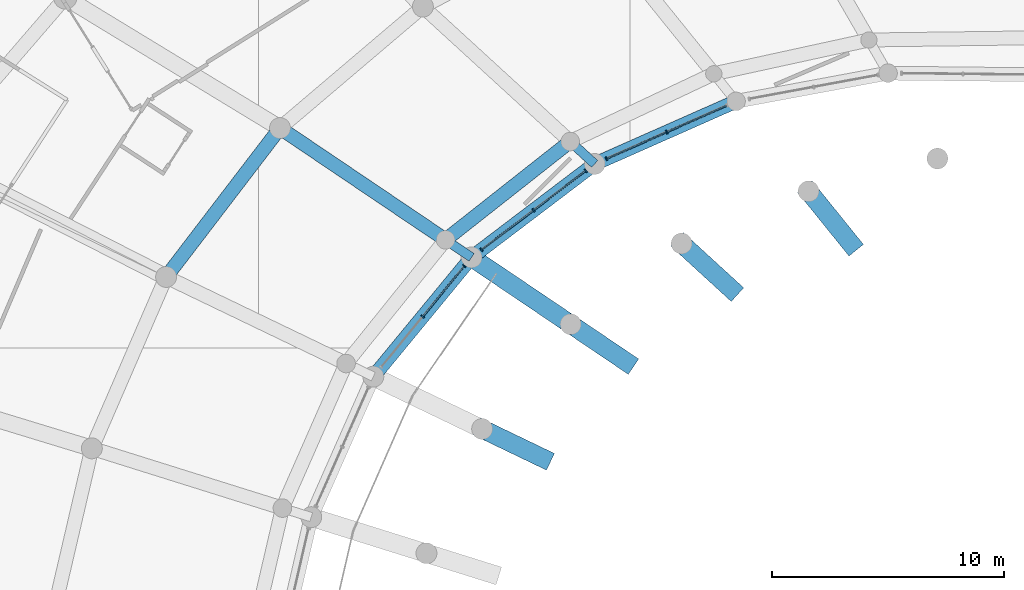
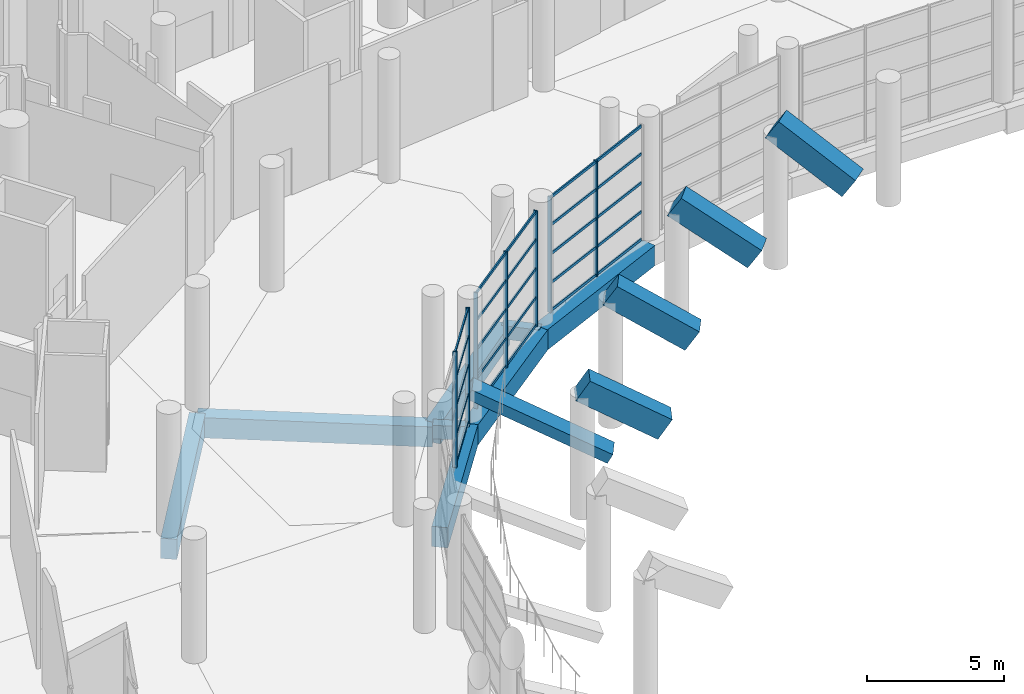
# One storey, part 76 of 271: 32 members, 13 beams, 3 elements without a shape of their own.
"""IFC4 building model written with IfcOpenShell, lengths in metres."""

import ifcopenshell
import ifcopenshell.guid

model = None  # the IFC model being written
_history = None  # IfcOwnerHistory: only IFC2X3 demands one
_inside = {}  # id of a spatial element -> (the spatial element, [elements in it])
_under = {}  # id of a project, library or spatial element -> (it, [spatial elements below it])
_declared = {}  # id of a project -> (the project, [libraries it declares])
_typed = {}  # id of a type object -> (the type object, [elements of that type])
_made_of = {}  # id of a material, layer set ... -> (it, [elements and type objects made of it])


def new_model(schema):
    """Start an empty IFC model of exactly this schema.

    Asked for "IFC4X3", IfcOpenShell would pick the latest addendum, in which some entities
    have other attributes; the version numbers below select the first issue.
    IFC2X3 requires an IfcOwnerHistory on every rooted entity: one is made here for all.
    """
    global model, _history
    if schema == "IFC4X3":
        model = ifcopenshell.file(schema_version=(4, 3, 0, 0))
    else:
        model = ifcopenshell.file(schema=schema)
    _inside.clear()
    _under.clear()
    _declared.clear()
    _typed.clear()
    _made_of.clear()
    _history = None
    if model.schema == "IFC2X3":
        org = make("IfcOrganization", Name="unknown")
        user = make(
            "IfcPersonAndOrganization",
            ThePerson=make("IfcPerson", FamilyName="unknown"),
            TheOrganization=org,
        )
        app = make(
            "IfcApplication",
            ApplicationDeveloper=org,
            Version="unknown",
            ApplicationFullName="unknown",
            ApplicationIdentifier="unknown",
        )
        _history = make(
            "IfcOwnerHistory",
            OwningUser=user,
            OwningApplication=app,
            ChangeAction="ADDED",
            CreationDate=0,
        )
    return model


def make(cls, **values):
    """One entity of the class cls with the attributes given. An attribute that is None is left unset."""
    return model.create_entity(
        cls, **{name: value for name, value in values.items() if value is not None}
    )


def rooted(cls, **values):
    """An entity with a GlobalId (a new one), such as an element, a storey or a relation."""
    return make(cls, GlobalId=ifcopenshell.guid.new(), OwnerHistory=_history, **values)


def si_unit(unit_type, name, prefix=None):
    """IfcSIUnit, for example si_unit("LENGTHUNIT", "METRE", prefix="MILLI")."""
    return make("IfcSIUnit", UnitType=unit_type, Prefix=prefix, Name=name)


def assignment(units):
    """IfcUnitAssignment: the units of a project."""
    return None if units is None else make("IfcUnitAssignment", Units=units)


def point(xyz):
    """IfcCartesianPoint."""
    return None if xyz is None else make("IfcCartesianPoint", Coordinates=xyz)


def direction(xyz):
    """IfcDirection."""
    return None if xyz is None else make("IfcDirection", DirectionRatios=xyz)


def frame(location, z_axis=None, x_axis=None):
    """IfcAxis2Placement3D, a coordinate frame: its origin and axes. An axis left out is left unset."""
    return make(
        "IfcAxis2Placement3D",
        Location=point(location),
        Axis=direction(z_axis),
        RefDirection=direction(x_axis),
    )


def frame_2d(location, x_axis=None):
    """IfcAxis2Placement2D, a coordinate frame in the plane: its origin and x axis."""
    return make(
        "IfcAxis2Placement2D", Location=point(location), RefDirection=direction(x_axis)
    )


def origin():
    """The frame at (0, 0, 0) with its axes left unset."""
    return frame((0.0, 0.0, 0.0))


def origin_2d():
    """The frame at (0, 0) in the plane with its x axis left unset."""
    return frame_2d((0.0, 0.0))


def place(relative_to, where):
    """IfcLocalPlacement: puts the frame where relative to a parent placement (None: the world)."""
    return make(
        "IfcLocalPlacement", PlacementRelTo=relative_to, RelativePlacement=where
    )


def context(
    kind, dimensions, precision=None, world=None, true_north=None, identifier=None
):
    """IfcGeometricRepresentationContext, for example the 3D "Model" context."""
    return make(
        "IfcGeometricRepresentationContext",
        ContextIdentifier=identifier,
        ContextType=kind,
        CoordinateSpaceDimension=dimensions,
        Precision=precision,
        WorldCoordinateSystem=world,
        TrueNorth=true_north,
    )


def subcontext(parent, identifier, kind, view, scale=None):
    """IfcGeometricRepresentationSubContext, for example "Body" below "Model"."""
    return make(
        "IfcGeometricRepresentationSubContext",
        ContextIdentifier=identifier,
        ContextType=kind,
        ParentContext=parent,
        TargetScale=scale,
        TargetView=view,
    )


def project(units=None, contexts=None):
    """IfcProject with its units and contexts."""
    return rooted(
        "IfcProject",
        Name="project",
        RepresentationContexts=contexts,
        UnitsInContext=assignment(units),
    )


def spatial(cls, under=None, at=None, **own):
    """A site, building, storey or space (cls), placed at a placement, below another one or the project."""
    s = rooted(cls, ObjectPlacement=at, **own)
    if under is not None:
        _under.setdefault(under.id(), (under, []))[1].append(s)
    return s


def profile(cls, at=None, kind="AREA", **sizes):
    """A parametric profile (cls). Its sizes go by their IFC names, for example OverallWidth=200.0."""
    return make(cls, ProfileType=kind, Position=at, **sizes)


def rectangle(**sizes):
    """IfcRectangleProfileDef."""
    return profile("IfcRectangleProfileDef", **sizes)


def extrude(swept, where, along, depth):
    """IfcExtrudedAreaSolid: the profile swept, set in the frame where, extruded along a direction by depth."""
    return make(
        "IfcExtrudedAreaSolid",
        SweptArea=swept,
        Position=where,
        ExtrudedDirection=direction(along),
        Depth=depth,
    )


def shape(context_of_items, identifier, shape_type, items):
    """IfcShapeRepresentation: the items that make up one representation, for example the "Body"."""
    return make(
        "IfcShapeRepresentation",
        ContextOfItems=context_of_items,
        RepresentationIdentifier=identifier,
        RepresentationType=shape_type,
        Items=items,
    )


def material(Name=None, Category=None):
    """IfcMaterial."""
    return make("IfcMaterial", Name=Name, Category=Category)


def layer(
    of_material, thickness, ventilated=None, Name=None, Category=None, Priority=None
):
    """IfcMaterialLayer: one layer of a wall or slab, of a material (None: an air gap)."""
    return make(
        "IfcMaterialLayer",
        Material=of_material,
        LayerThickness=thickness,
        IsVentilated=ventilated,
        Name=Name,
        Category=Category,
        Priority=Priority,
    )


def layer_set(layers, Name=None):
    """IfcMaterialLayerSet."""
    return make("IfcMaterialLayerSet", MaterialLayers=layers, LayerSetName=Name)


def material_profile(
    of_material, cross_section, Name=None, Category=None, Priority=None
):
    """IfcMaterialProfile: a cross section and its material."""
    return make(
        "IfcMaterialProfile",
        Name=Name,
        Material=of_material,
        Profile=cross_section,
        Priority=Priority,
        Category=Category,
    )


def profile_set(profiles, Name=None, composite=None):
    """IfcMaterialProfileSet."""
    return make(
        "IfcMaterialProfileSet",
        Name=Name,
        MaterialProfiles=profiles,
        CompositeProfile=composite,
    )


def made_of(thing, what):
    """Note that an element or type object is made of a material, layer set ...; save() writes the relation."""
    if what is not None:
        _made_of.setdefault(what.id(), (what, []))[1].append(thing)
    return thing


def type_object(cls, material=None, **own):
    """A type object (cls), such as IfcWallType, which elements share."""
    return made_of(rooted(cls, **own), material)


def element(
    cls,
    number,
    at=None,
    inside=None,
    cuts=None,
    type_object=None,
    material=None,
    context=None,
    identifier="Body",
    shape_type=None,
    held_by="IfcProductDefinitionShape",
    body=None,
    shapes=None,
    **own,
):
    """One element of the class cls, such as IfcWall. Its Tag is "e" and its number.

    at: its placement. inside: the storey or other place that contains it. cuts: it is an
    opening in that element (IfcRelVoidsElement). A single representation is given by context,
    identifier, shape_type and body (its items); several are given by shapes. held_by: the class
    of the entity that holds the representations. save() writes the other relations.
    """
    e = rooted(cls, Tag="e%d" % number, ObjectPlacement=at, **own)
    if body is not None:
        shapes = [shape(context, identifier, shape_type, body)]
    if shapes is not None:
        e.Representation = make(held_by, Representations=shapes)
    if inside is not None:
        _inside.setdefault(inside.id(), (inside, []))[1].append(e)
    if cuts is not None:
        rooted(
            "IfcRelVoidsElement", RelatingBuildingElement=cuts, RelatedOpeningElement=e
        )
    if type_object is not None:
        _typed.setdefault(type_object.id(), (type_object, []))[1].append(e)
    return made_of(e, material)


def aggregate(whole, parts):
    """IfcRelAggregates: a whole, such as a stair, and the parts it consists of."""
    return rooted("IfcRelAggregates", RelatingObject=whole, RelatedObjects=parts)


def save(model, path):
    """Write the relations noted so far, then the file.

    IfcRelAggregates (storeys below a building ...), IfcRelContainedInSpatialStructure (elements
    in a storey), IfcRelDefinesByType, IfcRelAssociatesMaterial and IfcRelDeclares: one each for
    every whole, place, type object, material and project.
    """
    for whole, parts in _under.values():
        aggregate(whole, parts)
    for where, things in _inside.values():
        rooted(
            "IfcRelContainedInSpatialStructure",
            RelatedElements=things,
            RelatingStructure=where,
        )
    for kind, things in _typed.values():
        rooted("IfcRelDefinesByType", RelatedObjects=things, RelatingType=kind)
    for what, things in _made_of.values():
        rooted("IfcRelAssociatesMaterial", RelatedObjects=things, RelatingMaterial=what)
    for by, libraries in _declared.values():
        rooted("IfcRelDeclares", RelatingContext=by, RelatedDefinitions=libraries)
    model.write(path)


model = new_model("IFC4")

# Units and contexts
model_context = context("Model", 3, precision=1e-05, world=origin(), true_north=direction((0.0, 1.0)))
body_context = subcontext(model_context, "Body", "Model", "MODEL_VIEW")
ifc_project = project(units=[si_unit("LENGTHUNIT", "METRE"), si_unit("AREAUNIT", "SQUARE_METRE"), si_unit("VOLUMEUNIT", "CUBIC_METRE"), si_unit("PLANEANGLEUNIT", "RADIAN"), si_unit("MASSUNIT", "GRAM", prefix="KILO")], contexts=[model_context])

# Site, building, storey
site_placement = place(None, origin())
site = spatial("IfcSite", under=ifc_project, at=site_placement, CompositionType="ELEMENT")
building_placement = place(site_placement, origin())
building = spatial("IfcBuilding", under=site, at=building_placement, Name="Meseta Stadium", CompositionType="ELEMENT")
storey_placement = place(building_placement, frame((0.0, 0.0, 6.5)))
storey = spatial("IfcBuildingStorey", under=building, at=storey_placement, Name="L01", CompositionType="ELEMENT", Elevation=6.5)

# Curtain wall, members
ifc_material_1 = material(Name="Aluminium", Category="aluminium")
ifc_layer = layer(ifc_material_1, 0.199951171875)
ifc_layer_set = layer_set([ifc_layer], Name="Club glazing curtain wall")
curtain_wall_type = type_object("IfcCurtainWallType", Name="Club glazing curtain wall", PredefinedType="NOTDEFINED", material=ifc_layer_set)
curtain_wall_1_placement = place(storey_placement, origin())
curtain_wall_1 = element("IfcCurtainWall", 1, at=curtain_wall_1_placement, inside=storey, type_object=curtain_wall_type, Name="Club glazing bay 23", PredefinedType="NOTDEFINED")
ifc_material_2 = material(Name="Aluminium", Category="aluminium")
ifc_material_profile_1 = material_profile(ifc_material_2, rectangle(XDim=0.159912109375, YDim=0.06005859375, at=origin_2d()), Name="CW 160x60")
ifc_profile_set_1 = profile_set([ifc_material_profile_1], Name="Aluminium")
member_type_1 = type_object("IfcMemberType", Name="CW mullion 60x160", PredefinedType="MULLION", material=ifc_profile_set_1)
member_1_placement = place(storey_placement, frame((-46.41796875, 73.2958984375, 0.0), z_axis=(0.0, 0.0, 1.0), x_axis=(0.40452428424, -0.914527256817, 0.0)))
member_1 = element("IfcMember", 2, at=member_1_placement, type_object=member_type_1, Name="CWC mullion 2", PredefinedType="MULLION", context=body_context, shape_type="SweptSolid", body=[
    extrude(rectangle(XDim=0.159912109375, YDim=0.06005859375, at=origin_2d()), origin(), (0.0, 0.0, 1.0), 5.14990234375),
])
member_2_placement = place(storey_placement, frame((-49.0126953125, 72.148193359375, 0.0), z_axis=(0.0, 0.0, 1.0), x_axis=(0.40452428424, -0.914527256817, 0.0)))
member_2 = element("IfcMember", 3, at=member_2_placement, type_object=member_type_1, Name="CWC mullion 3", PredefinedType="MULLION", context=body_context, shape_type="SweptSolid", body=[
    extrude(rectangle(XDim=0.159912109375, YDim=0.06005859375, at=origin_2d()), origin(), (0.0, 0.0, 1.0), 5.14990234375),
])

curtain_wall_2_placement = place(storey_placement, origin())
curtain_wall_2 = element("IfcCurtainWall", 4, at=curtain_wall_2_placement, inside=storey, type_object=curtain_wall_type, Name="Club glazing bay 24", PredefinedType="NOTDEFINED")
member_3_placement = place(storey_placement, frame((-49.900390625, 71.634765625, 0.0), z_axis=(0.0, 0.0, 1.0), x_axis=(0.604519923448, -0.796590021375, 0.0)))
member_3 = element("IfcMember", 5, at=member_3_placement, type_object=member_type_1, Name="CWC mullion 1", PredefinedType="MULLION", context=body_context, shape_type="SweptSolid", body=[
    extrude(rectangle(XDim=0.159912109375, YDim=0.06005859375, at=origin_2d()), origin(), (0.0, 0.0, 1.0), 5.14990234375),
])
member_4_placement = place(storey_placement, frame((-52.146484375, 69.93017578125, 0.0), z_axis=(0.0, 0.0, 1.0), x_axis=(0.604519923448, -0.796590021375, 0.0)))
member_4 = element("IfcMember", 6, at=member_4_placement, type_object=member_type_1, Name="CWC mullion 2", PredefinedType="MULLION", context=body_context, shape_type="SweptSolid", body=[
    extrude(rectangle(XDim=0.159912109375, YDim=0.06005859375, at=origin_2d()), origin(), (0.0, 0.0, 1.0), 5.14990234375),
])
member_5_placement = place(storey_placement, frame((-54.392578125, 68.2255859375, 0.0), z_axis=(0.0, 0.0, 1.0), x_axis=(0.604519923448, -0.796590021375, 0.0)))
member_5 = element("IfcMember", 7, at=member_5_placement, type_object=member_type_1, Name="CWC mullion 3", PredefinedType="MULLION", context=body_context, shape_type="SweptSolid", body=[
    extrude(rectangle(XDim=0.159912109375, YDim=0.06005859375, at=origin_2d()), origin(), (0.0, 0.0, 1.0), 5.14990234375),
])

curtain_wall_3_placement = place(storey_placement, origin())
curtain_wall_3 = element("IfcCurtainWall", 8, at=curtain_wall_3_placement, inside=storey, type_object=curtain_wall_type, Name="Club glazing bay 25", PredefinedType="NOTDEFINED")
member_6_placement = place(storey_placement, frame((-55.124755859375, 67.531005859375, 0.0), z_axis=(0.0, 0.0, 1.0), x_axis=(0.771902420685, -0.63574102663, 0.0)))
member_6 = element("IfcMember", 9, at=member_6_placement, type_object=member_type_1, Name="CWC mullion 1", PredefinedType="MULLION", context=body_context, shape_type="SweptSolid", body=[
    extrude(rectangle(XDim=0.159912109375, YDim=0.06005859375, at=origin_2d()), origin(), (0.0, 0.0, 1.0), 5.14990234375),
])
member_7_placement = place(storey_placement, frame((-56.920654296875, 65.3505859375, 0.0), z_axis=(0.0, 0.0, 1.0), x_axis=(0.771902420685, -0.63574102663, 0.0)))
member_7 = element("IfcMember", 10, at=member_7_placement, type_object=member_type_1, Name="CWC mullion 2", PredefinedType="MULLION", context=body_context, shape_type="SweptSolid", body=[
    extrude(rectangle(XDim=0.159912109375, YDim=0.06005859375, at=origin_2d()), origin(), (0.0, 0.0, 1.0), 5.14990234375),
])

# Member
ifc_material_3 = material(Name="Aluminium", Category="aluminium")
ifc_material_profile_2 = material_profile(ifc_material_3, rectangle(XDim=0.06005859375, YDim=0.1201171875, at=origin_2d()), Name="CW 60x120")
ifc_profile_set_2 = profile_set([ifc_material_profile_2], Name="Aluminium")
member_type_2 = type_object("IfcMemberType", Name="CW transom 60x120", PredefinedType="USERDEFINED", material=ifc_profile_set_2)
member_8_placement = place(storey_placement, frame((-43.850830078125, 74.431396484375, 0.06005859375), z_axis=(-0.914545969516, -0.404481976905, 0.0), x_axis=(0.404481976905, -0.914545969516, 0.0)))
member_8 = element("IfcMember", 11, at=member_8_placement, type_object=member_type_2, Name="CWC transom 1.1", ObjectType="TRANSOM", PredefinedType="USERDEFINED", context=body_context, shape_type="SweptSolid", body=[
    extrude(rectangle(XDim=0.06005859375, YDim=0.1201171875, at=origin_2d()), origin(), (0.0, 0.0, 1.0), 2.777099609375),
])

member_9_placement = place(storey_placement, frame((-43.850830078125, 74.431396484375, 1.28759765625), z_axis=(-0.914545969516, -0.404481976905, 0.0), x_axis=(0.404481976905, -0.914545969516, 0.0)))
member_9 = element("IfcMember", 12, at=member_9_placement, type_object=member_type_2, Name="CWC transom 1.2", ObjectType="TRANSOM", PredefinedType="USERDEFINED", context=body_context, shape_type="SweptSolid", body=[
    extrude(rectangle(XDim=0.06005859375, YDim=0.1201171875, at=origin_2d()), origin(), (0.0, 0.0, 1.0), 2.777099609375),
])

member_10_placement = place(storey_placement, frame((-43.850830078125, 74.431396484375, 2.574951171875), z_axis=(-0.914545969516, -0.404481976905, 0.0), x_axis=(0.404481976905, -0.914545969516, 0.0)))
member_10 = element("IfcMember", 13, at=member_10_placement, type_object=member_type_2, Name="CWC transom 1.3", ObjectType="TRANSOM", PredefinedType="USERDEFINED", context=body_context, shape_type="SweptSolid", body=[
    extrude(rectangle(XDim=0.06005859375, YDim=0.1201171875, at=origin_2d()), origin(), (0.0, 0.0, 1.0), 2.777099609375),
])

member_11_placement = place(storey_placement, frame((-43.850830078125, 74.431396484375, 3.862548828125), z_axis=(-0.914545969516, -0.404481976905, 0.0), x_axis=(0.404481976905, -0.914545969516, 0.0)))
member_11 = element("IfcMember", 14, at=member_11_placement, type_object=member_type_2, Name="CWC transom 1.4", ObjectType="TRANSOM", PredefinedType="USERDEFINED", context=body_context, shape_type="SweptSolid", body=[
    extrude(rectangle(XDim=0.06005859375, YDim=0.1201171875, at=origin_2d()), origin(), (0.0, 0.0, 1.0), 2.777099609375),
])

member_12_placement = place(storey_placement, frame((-43.850830078125, 74.431396484375, 5.090087890625), z_axis=(-0.914545969516, -0.404481976905, 0.0), x_axis=(0.404481976905, -0.914545969516, 0.0)))
member_12 = element("IfcMember", 15, at=member_12_placement, type_object=member_type_2, Name="CWC transom 1.5", ObjectType="TRANSOM", PredefinedType="USERDEFINED", context=body_context, shape_type="SweptSolid", body=[
    extrude(rectangle(XDim=0.06005859375, YDim=0.1201171875, at=origin_2d()), origin(), (0.0, 0.0, 1.0), 2.777099609375),
])

member_13_placement = place(storey_placement, frame((-46.445556640625, 73.283935546875, 0.06005859375), z_axis=(-0.914499058319, -0.404588027916, 0.0), x_axis=(0.404588027916, -0.914499058319, 0.0)))
member_13 = element("IfcMember", 16, at=member_13_placement, type_object=member_type_2, Name="CWC transom 2.1", ObjectType="TRANSOM", PredefinedType="USERDEFINED", context=body_context, shape_type="SweptSolid", body=[
    extrude(rectangle(XDim=0.06005859375, YDim=0.1201171875, at=origin_2d()), origin(), (0.0, 0.0, 1.0), 2.777099609375),
])

member_14_placement = place(storey_placement, frame((-46.445556640625, 73.283935546875, 1.28759765625), z_axis=(-0.914499058319, -0.404588027916, 0.0), x_axis=(0.404588027916, -0.914499058319, 0.0)))
member_14 = element("IfcMember", 17, at=member_14_placement, type_object=member_type_2, Name="CWC transom 2.2", ObjectType="TRANSOM", PredefinedType="USERDEFINED", context=body_context, shape_type="SweptSolid", body=[
    extrude(rectangle(XDim=0.06005859375, YDim=0.1201171875, at=origin_2d()), origin(), (0.0, 0.0, 1.0), 2.777099609375),
])

member_15_placement = place(storey_placement, frame((-46.445556640625, 73.283935546875, 2.574951171875), z_axis=(-0.914499058319, -0.404588027916, 0.0), x_axis=(0.404588027916, -0.914499058319, 0.0)))
member_15 = element("IfcMember", 18, at=member_15_placement, type_object=member_type_2, Name="CWC transom 2.3", ObjectType="TRANSOM", PredefinedType="USERDEFINED", context=body_context, shape_type="SweptSolid", body=[
    extrude(rectangle(XDim=0.06005859375, YDim=0.1201171875, at=origin_2d()), origin(), (0.0, 0.0, 1.0), 2.777099609375),
])

member_16_placement = place(storey_placement, frame((-46.445556640625, 73.283935546875, 3.862548828125), z_axis=(-0.914499058319, -0.404588027916, 0.0), x_axis=(0.404588027916, -0.914499058319, 0.0)))
member_16 = element("IfcMember", 19, at=member_16_placement, type_object=member_type_2, Name="CWC transom 2.4", ObjectType="TRANSOM", PredefinedType="USERDEFINED", context=body_context, shape_type="SweptSolid", body=[
    extrude(rectangle(XDim=0.06005859375, YDim=0.1201171875, at=origin_2d()), origin(), (0.0, 0.0, 1.0), 2.777099609375),
])

member_17_placement = place(storey_placement, frame((-46.445556640625, 73.283935546875, 5.090087890625), z_axis=(-0.914499058319, -0.404588027916, 0.0), x_axis=(0.404588027916, -0.914499058319, 0.0)))
member_17 = element("IfcMember", 20, at=member_17_placement, type_object=member_type_2, Name="CWC transom 2.5", ObjectType="TRANSOM", PredefinedType="USERDEFINED", context=body_context, shape_type="SweptSolid", body=[
    extrude(rectangle(XDim=0.06005859375, YDim=0.1201171875, at=origin_2d()), origin(), (0.0, 0.0, 1.0), 2.777099609375),
])

aggregate(curtain_wall_1, [member_1, member_2, member_8, member_9, member_10, member_11, member_12, member_13, member_14, member_15, member_16, member_17])

member_18_placement = place(storey_placement, frame((-49.92431640625, 71.61669921875, 0.06005859375), z_axis=(-0.796547299203, -0.604576215321, 0.0), x_axis=(0.604576215321, -0.796547299203, 0.0)))
member_18 = element("IfcMember", 21, at=member_18_placement, type_object=member_type_2, Name="CWC transom 1.1", ObjectType="TRANSOM", PredefinedType="USERDEFINED", context=body_context, shape_type="SweptSolid", body=[
    extrude(rectangle(XDim=0.06005859375, YDim=0.1201171875, at=origin_2d()), origin(), (0.0, 0.0, 1.0), 2.759765625),
])

member_19_placement = place(storey_placement, frame((-49.92431640625, 71.61669921875, 1.28759765625), z_axis=(-0.796547299203, -0.604576215321, 0.0), x_axis=(0.604576215321, -0.796547299203, 0.0)))
member_19 = element("IfcMember", 22, at=member_19_placement, type_object=member_type_2, Name="CWC transom 1.2", ObjectType="TRANSOM", PredefinedType="USERDEFINED", context=body_context, shape_type="SweptSolid", body=[
    extrude(rectangle(XDim=0.06005859375, YDim=0.1201171875, at=origin_2d()), origin(), (0.0, 0.0, 1.0), 2.759765625),
])

member_20_placement = place(storey_placement, frame((-49.92431640625, 71.61669921875, 2.574951171875), z_axis=(-0.796547299203, -0.604576215321, 0.0), x_axis=(0.604576215321, -0.796547299203, 0.0)))
member_20 = element("IfcMember", 23, at=member_20_placement, type_object=member_type_2, Name="CWC transom 1.3", ObjectType="TRANSOM", PredefinedType="USERDEFINED", context=body_context, shape_type="SweptSolid", body=[
    extrude(rectangle(XDim=0.06005859375, YDim=0.1201171875, at=origin_2d()), origin(), (0.0, 0.0, 1.0), 2.759765625),
])

member_21_placement = place(storey_placement, frame((-49.92431640625, 71.61669921875, 3.862548828125), z_axis=(-0.796547299203, -0.604576215321, 0.0), x_axis=(0.604576215321, -0.796547299203, 0.0)))
member_21 = element("IfcMember", 24, at=member_21_placement, type_object=member_type_2, Name="CWC transom 1.4", ObjectType="TRANSOM", PredefinedType="USERDEFINED", context=body_context, shape_type="SweptSolid", body=[
    extrude(rectangle(XDim=0.06005859375, YDim=0.1201171875, at=origin_2d()), origin(), (0.0, 0.0, 1.0), 2.759765625),
])

member_22_placement = place(storey_placement, frame((-49.92431640625, 71.61669921875, 5.090087890625), z_axis=(-0.796547299203, -0.604576215321, 0.0), x_axis=(0.604576215321, -0.796547299203, 0.0)))
member_22 = element("IfcMember", 25, at=member_22_placement, type_object=member_type_2, Name="CWC transom 1.5", ObjectType="TRANSOM", PredefinedType="USERDEFINED", context=body_context, shape_type="SweptSolid", body=[
    extrude(rectangle(XDim=0.06005859375, YDim=0.1201171875, at=origin_2d()), origin(), (0.0, 0.0, 1.0), 2.759765625),
])

member_23_placement = place(storey_placement, frame((-52.17041015625, 69.912109375, 0.06005859375), z_axis=(-0.796579631183, -0.604533614603, 0.0), x_axis=(0.604533614603, -0.796579631183, 0.0)))
member_23 = element("IfcMember", 26, at=member_23_placement, type_object=member_type_2, Name="CWC transom 2.1", ObjectType="TRANSOM", PredefinedType="USERDEFINED", context=body_context, shape_type="SweptSolid", body=[
    extrude(rectangle(XDim=0.06005859375, YDim=0.1201171875, at=origin_2d()), origin(), (0.0, 0.0, 1.0), 2.760009765625),
])

member_24_placement = place(storey_placement, frame((-52.17041015625, 69.912109375, 1.28759765625), z_axis=(-0.796579631183, -0.604533614603, 0.0), x_axis=(0.604533614603, -0.796579631183, 0.0)))
member_24 = element("IfcMember", 27, at=member_24_placement, type_object=member_type_2, Name="CWC transom 2.2", ObjectType="TRANSOM", PredefinedType="USERDEFINED", context=body_context, shape_type="SweptSolid", body=[
    extrude(rectangle(XDim=0.06005859375, YDim=0.1201171875, at=origin_2d()), origin(), (0.0, 0.0, 1.0), 2.760009765625),
])

member_25_placement = place(storey_placement, frame((-52.17041015625, 69.912109375, 2.574951171875), z_axis=(-0.796579631183, -0.604533614603, 0.0), x_axis=(0.604533614603, -0.796579631183, 0.0)))
member_25 = element("IfcMember", 28, at=member_25_placement, type_object=member_type_2, Name="CWC transom 2.3", ObjectType="TRANSOM", PredefinedType="USERDEFINED", context=body_context, shape_type="SweptSolid", body=[
    extrude(rectangle(XDim=0.06005859375, YDim=0.1201171875, at=origin_2d()), origin(), (0.0, 0.0, 1.0), 2.760009765625),
])

member_26_placement = place(storey_placement, frame((-52.17041015625, 69.912109375, 3.862548828125), z_axis=(-0.796579631183, -0.604533614603, 0.0), x_axis=(0.604533614603, -0.796579631183, 0.0)))
member_26 = element("IfcMember", 29, at=member_26_placement, type_object=member_type_2, Name="CWC transom 2.4", ObjectType="TRANSOM", PredefinedType="USERDEFINED", context=body_context, shape_type="SweptSolid", body=[
    extrude(rectangle(XDim=0.06005859375, YDim=0.1201171875, at=origin_2d()), origin(), (0.0, 0.0, 1.0), 2.760009765625),
])

member_27_placement = place(storey_placement, frame((-52.17041015625, 69.912109375, 5.090087890625), z_axis=(-0.796579631183, -0.604533614603, 0.0), x_axis=(0.604533614603, -0.796579631183, 0.0)))
member_27 = element("IfcMember", 30, at=member_27_placement, type_object=member_type_2, Name="CWC transom 2.5", ObjectType="TRANSOM", PredefinedType="USERDEFINED", context=body_context, shape_type="SweptSolid", body=[
    extrude(rectangle(XDim=0.06005859375, YDim=0.1201171875, at=origin_2d()), origin(), (0.0, 0.0, 1.0), 2.760009765625),
])

aggregate(curtain_wall_2, [member_3, member_4, member_5, member_18, member_19, member_20, member_21, member_22, member_23, member_24, member_25, member_26, member_27])

member_28_placement = place(storey_placement, frame((-55.143798828125, 67.5078125, 0.06005859375), z_axis=(-0.63573511069, -0.771907293032, 0.0), x_axis=(0.771907293032, -0.63573511069, 0.0)))
member_28 = element("IfcMember", 31, at=member_28_placement, type_object=member_type_2, Name="CWC transom 1.1", ObjectType="TRANSOM", PredefinedType="USERDEFINED", context=body_context, shape_type="SweptSolid", body=[
    extrude(rectangle(XDim=0.06005859375, YDim=0.1201171875, at=origin_2d()), origin(), (0.0, 0.0, 1.0), 2.7646484375),
])

member_29_placement = place(storey_placement, frame((-55.143798828125, 67.5078125, 1.28759765625), z_axis=(-0.63573511069, -0.771907293032, 0.0), x_axis=(0.771907293032, -0.63573511069, 0.0)))
member_29 = element("IfcMember", 32, at=member_29_placement, type_object=member_type_2, Name="CWC transom 1.2", ObjectType="TRANSOM", PredefinedType="USERDEFINED", context=body_context, shape_type="SweptSolid", body=[
    extrude(rectangle(XDim=0.06005859375, YDim=0.1201171875, at=origin_2d()), origin(), (0.0, 0.0, 1.0), 2.7646484375),
])

member_30_placement = place(storey_placement, frame((-55.143798828125, 67.5078125, 2.574951171875), z_axis=(-0.63573511069, -0.771907293032, 0.0), x_axis=(0.771907293032, -0.63573511069, 0.0)))
member_30 = element("IfcMember", 33, at=member_30_placement, type_object=member_type_2, Name="CWC transom 1.3", ObjectType="TRANSOM", PredefinedType="USERDEFINED", context=body_context, shape_type="SweptSolid", body=[
    extrude(rectangle(XDim=0.06005859375, YDim=0.1201171875, at=origin_2d()), origin(), (0.0, 0.0, 1.0), 2.7646484375),
])

member_31_placement = place(storey_placement, frame((-55.143798828125, 67.5078125, 3.862548828125), z_axis=(-0.63573511069, -0.771907293032, 0.0), x_axis=(0.771907293032, -0.63573511069, 0.0)))
member_31 = element("IfcMember", 34, at=member_31_placement, type_object=member_type_2, Name="CWC transom 1.4", ObjectType="TRANSOM", PredefinedType="USERDEFINED", context=body_context, shape_type="SweptSolid", body=[
    extrude(rectangle(XDim=0.06005859375, YDim=0.1201171875, at=origin_2d()), origin(), (0.0, 0.0, 1.0), 2.7646484375),
])

member_32_placement = place(storey_placement, frame((-55.143798828125, 67.5078125, 5.090087890625), z_axis=(-0.63573511069, -0.771907293032, 0.0), x_axis=(0.771907293032, -0.63573511069, 0.0)))
member_32 = element("IfcMember", 35, at=member_32_placement, type_object=member_type_2, Name="CWC transom 1.5", ObjectType="TRANSOM", PredefinedType="USERDEFINED", context=body_context, shape_type="SweptSolid", body=[
    extrude(rectangle(XDim=0.06005859375, YDim=0.1201171875, at=origin_2d()), origin(), (0.0, 0.0, 1.0), 2.7646484375),
])

aggregate(curtain_wall_3, [member_6, member_7, member_28, member_29, member_30, member_31, member_32])

# Beams
ifc_material_4 = material(Name="Concrete C40/50", Category="concrete")
ifc_material_profile_3 = material_profile(ifc_material_4, rectangle(XDim=0.39990234375, YDim=0.60009765625, at=origin_2d()), Name="RC 400x600")
ifc_profile_set_3 = profile_set([ifc_material_profile_3], Name="Concrete C40/50")
beam_type_1 = type_object("IfcBeamType", Name="RC beam 400x600", PredefinedType="BEAM", material=ifc_profile_set_3)
beam_1_placement = place(storey_placement, frame((-49.518310546875, 71.924560546875, -0.64990234375), z_axis=(-0.737537238319, 0.675306465313, 0.0), x_axis=(-0.675306465313, -0.737537238319, 0.0)))
element("IfcBeam", 36, at=beam_1_placement, inside=storey, type_object=beam_type_1, Name="L01 radial beam frame 24 line C to D", PredefinedType="BEAM", context=body_context, shape_type="SweptSolid", body=[
    extrude(rectangle(XDim=0.39990234375, YDim=0.60009765625, at=origin_2d()), origin(), (0.0, 0.0, 1.0), 1.427978515625),
])
beam_2_placement = place(storey_placement, frame((-54.819580078125, 67.901611328125, -0.64990234375), z_axis=(-0.828785870945, 0.559565885416, 0.0), x_axis=(-0.559565885416, -0.828785870945, 0.0)))
element("IfcBeam", 37, at=beam_2_placement, inside=storey, type_object=beam_type_1, Name="L01 radial beam frame 25 line C to D", PredefinedType="BEAM", context=body_context, shape_type="SweptSolid", body=[
    extrude(rectangle(XDim=0.39990234375, YDim=0.60009765625, at=origin_2d()), origin(), (0.0, 0.0, 1.0), 1.35205078125),
])
ifc_material_5 = material(Name="Concrete C40/50", Category="concrete")
ifc_material_profile_4 = material_profile(ifc_material_5, rectangle(XDim=0.60009765625, YDim=0.89990234375, at=origin_2d()), Name="RC 600x900")
ifc_profile_set_4 = profile_set([ifc_material_profile_4], Name="Concrete C40/50")
beam_type_2 = type_object("IfcBeamType", Name="RC beam 600x900", PredefinedType="BEAM", material=ifc_profile_set_4)
beam_3_placement = place(storey_placement, frame((-43.430419921875, 74.617431640625, -0.800048828125), z_axis=(-0.914526988421, -0.404524891013, 0.0), x_axis=(0.404524891013, -0.914526988421, 0.0)))
element("IfcBeam", 38, at=beam_3_placement, inside=storey, type_object=beam_type_2, Name="L01 ring beam frame 23 line C", PredefinedType="BEAM", context=body_context, shape_type="SweptSolid", body=[
    extrude(rectangle(XDim=0.60009765625, YDim=0.89990234375, at=origin_2d()), origin(), (0.0, 0.0, 1.0), 6.656982421875),
])
beam_4_placement = place(storey_placement, frame((-49.518310546875, 71.924560546875, -0.800048828125), z_axis=(-0.796597456173, -0.604510126316, 0.0), x_axis=(0.604510126316, -0.796597456173, 0.0)))
element("IfcBeam", 39, at=beam_4_placement, inside=storey, type_object=beam_type_2, Name="L01 ring beam frame 24 line C", PredefinedType="BEAM", context=body_context, shape_type="SweptSolid", body=[
    extrude(rectangle(XDim=0.60009765625, YDim=0.89990234375, at=origin_2d()), origin(), (0.0, 0.0, 1.0), 6.65478515625),
])
beam_5_placement = place(storey_placement, frame((-50.571533203125, 72.888916015625, -0.800048828125), z_axis=(-0.785430108596, -0.618950357065, 0.0), x_axis=(0.618950357065, -0.785430108596, 0.0)))
element("IfcBeam", 40, at=beam_5_placement, inside=storey, type_object=beam_type_2, Name="L01 ring beam frame 24 line D", PredefinedType="BEAM", context=body_context, shape_type="SweptSolid", body=[
    extrude(rectangle(XDim=0.60009765625, YDim=0.89990234375, at=origin_2d()), origin(), (0.0, 0.0, 1.0), 6.835205078125),
])
beam_6_placement = place(storey_placement, frame((-54.819580078125, 67.901611328125, -0.800048828125), z_axis=(-0.635748413749, -0.771896336573, 0.0), x_axis=(0.771896336573, -0.635748413749, 0.0)))
element("IfcBeam", 41, at=beam_6_placement, inside=storey, type_object=beam_type_2, Name="L01 ring beam frame 25 line C", PredefinedType="BEAM", context=body_context, shape_type="SweptSolid", body=[
    extrude(rectangle(XDim=0.60009765625, YDim=0.89990234375, at=origin_2d()), origin(), (0.0, 0.0, 1.0), 6.65283203125),
])
beam_7_placement = place(storey_placement, frame((-63.068115234375, 73.469970703125, -0.800048828125), z_axis=(-0.607521948786, -0.794302890428, 0.0), x_axis=(0.794302890428, -0.607521948786, 0.0)))
element("IfcBeam", 42, at=beam_7_placement, inside=storey, type_object=beam_type_2, Name="L01 ring beam frame 25 line E", PredefinedType="BEAM", context=body_context, shape_type="SweptSolid", body=[
    extrude(rectangle(XDim=0.60009765625, YDim=0.89990234375, at=origin_2d()), origin(), (0.0, 0.0, 1.0), 8.072509765625),
])
beam_8_placement = place(storey_placement, frame((-55.940185546875, 68.658203125, -0.800048828125), z_axis=(-0.828826294275, 0.559506008832, 0.0), x_axis=(-0.559506008832, -0.828826294275, 0.0)))
element("IfcBeam", 43, at=beam_8_placement, inside=storey, type_object=beam_type_2, Name="L01 radial beam frame 25 line D to E", PredefinedType="BEAM", context=body_context, shape_type="SweptSolid", body=[
    extrude(rectangle(XDim=0.60009765625, YDim=0.89990234375, at=origin_2d()), origin(), (0.0, 0.0, 1.0), 8.60009765625),
])
ifc_material_6 = material(Name="Concrete C40/50", Category="concrete")
ifc_material_profile_5 = material_profile(ifc_material_6, rectangle(XDim=0.800048828125, YDim=0.449951171875, at=origin_2d()), Name="RC 800x450")
ifc_profile_set_5 = profile_set([ifc_material_profile_5], Name="Concrete C40/50")
beam_type_3 = type_object("IfcBeamType", Name="RC raker lower 800x450", PredefinedType="USERDEFINED", material=ifc_profile_set_5)
beam_9_placement = place(storey_placement, frame((-50.552978515625, 65.021240234375, -1.389892578125), z_axis=(-0.738740532827, 0.498721721578, 0.453364168836), x_axis=(-0.559528241414, -0.828811285553, 0.0)))
element("IfcBeam", 44, at=beam_9_placement, inside=storey, type_object=beam_type_3, Name="Raker lower frame 25 lower tier", ObjectType="RAKER", PredefinedType="USERDEFINED", context=body_context, shape_type="SweptSolid", body=[
    extrude(rectangle(XDim=0.800048828125, YDim=0.449951171875, at=origin_2d()), origin(), (0.0, 0.0, 1.0), 5.775390625),
])
ifc_material_7 = material(Name="Concrete C40/50", Category="concrete")
ifc_material_profile_6 = material_profile(ifc_material_7, rectangle(XDim=0.800048828125, YDim=1.0, at=origin_2d()), Name="RC 800x1000")
ifc_profile_set_6 = profile_set([ifc_material_profile_6], Name="Concrete C40/50")
beam_type_4 = type_object("IfcBeamType", Name="RC raker upper front 800x1000", PredefinedType="USERDEFINED", material=ifc_profile_set_6)
for number, where, z_axis, x_axis, name in (
    (45, (-38.423583984375, 68.41357421875, 4.3076171875), (-0.533019874974, 0.660439111736, 0.528876159958), (-0.778178252759, -0.628043475352, 0.0), "Raker upper front frame 23 upper tier"),
    (46, (-43.564208984375, 66.47412109375, 4.15869140625), (-0.625964604267, 0.572995181112, 0.529003626289), (-0.675208545537, -0.737626884024, 0.0), "Raker upper front frame 24 upper tier"),
    (47, (-48.06640625, 63.3427734375, 3.998779296875), (-0.703375507404, 0.47478709999, 0.528999154316), (-0.559479843293, -0.828843956936, 0.0), "Raker upper front frame 25 upper tier"),
    (48, (-51.66064453125, 59.213134765625, 3.830810546875), (-0.764769974401, 0.367813336072, 0.528999277941), (-0.433424089066, -0.901190079294, 0.0), "Raker upper front frame 26 upper tier"),
):
    element("IfcBeam", number, at=place(storey_placement, frame(where, z_axis=z_axis, x_axis=x_axis)), inside=storey, type_object=beam_type_4, Name=name, ObjectType="RAKER", PredefinedType="USERDEFINED", context=body_context, shape_type="SweptSolid", body=[
        extrude(rectangle(XDim=0.800048828125, YDim=1.0, at=origin_2d()), origin(), (0.0, 0.0, 1.0), 3.53515625),
    ])

save(model, "model.ifc")
